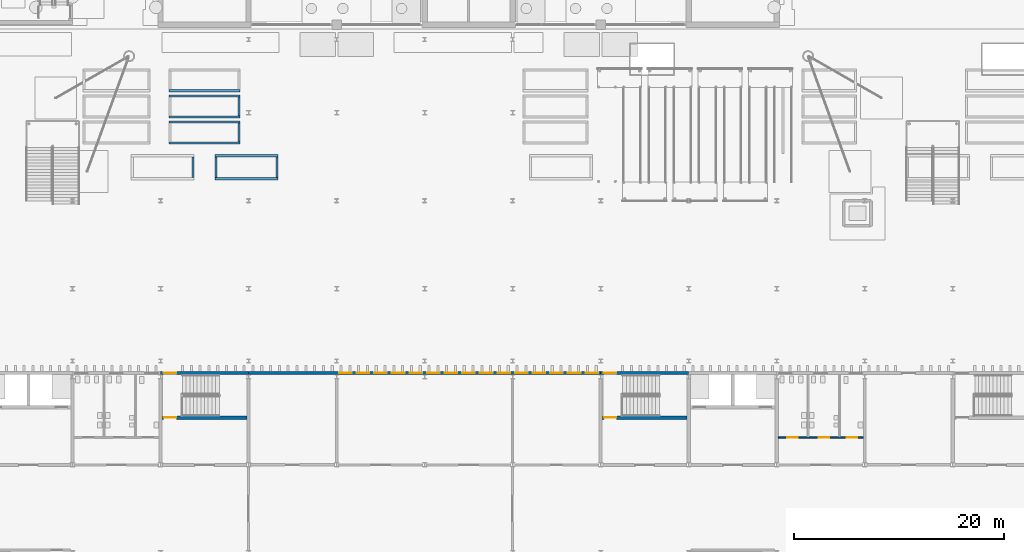
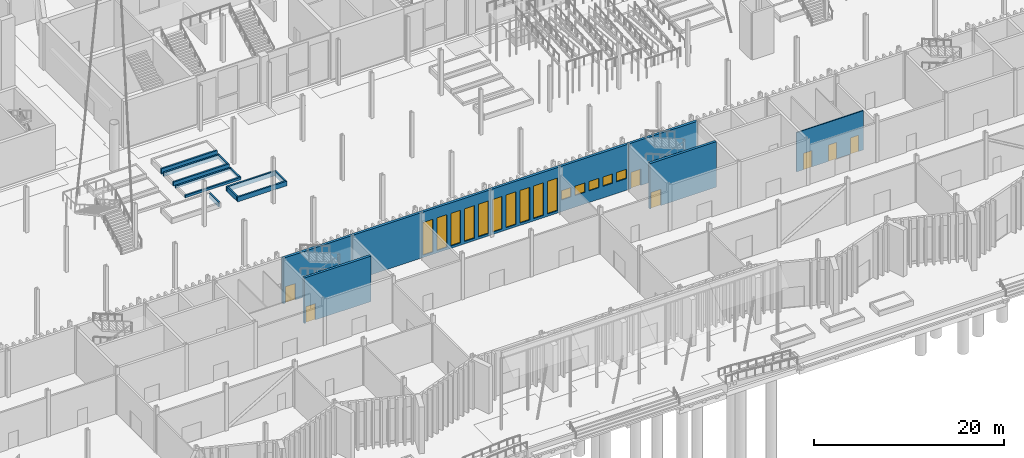
# One storey, part 59 of 108: 18 walls, 15 windows, 7 doors, 22 openings.
"""IFC4 building model written with IfcOpenShell, lengths in metres."""

from ifc_helpers import new_model, si_unit, direction, frame, frame_2d, origin, place, context, subcontext, project, spatial, rectangle, extrude, material, layer, layer_set, type_object, element, fill, save


model = new_model("IFC4")

# Units and contexts
model_context = context("Model", 3, precision=1e-05, world=origin(), true_north=direction((0.0, 1.0)))
body_context = subcontext(model_context, "Body", "Model", "MODEL_VIEW")
ifc_project = project(units=[si_unit("LENGTHUNIT", "METRE"), si_unit("AREAUNIT", "SQUARE_METRE"), si_unit("VOLUMEUNIT", "CUBIC_METRE"), si_unit("PLANEANGLEUNIT", "RADIAN"), si_unit("MASSUNIT", "GRAM", prefix="KILO")], contexts=[model_context])

# Site, building, storey
site_placement = place(None, origin())
site = spatial("IfcSite", under=ifc_project, at=site_placement, CompositionType="ELEMENT")
building_placement = place(site_placement, origin())
building = spatial("IfcBuilding", under=site, at=building_placement, Name="Cresset Court Congress Hotel", CompositionType="ELEMENT")
storey_placement = place(building_placement, origin())
storey = spatial("IfcBuildingStorey", under=building, at=storey_placement, Name="L00", CompositionType="ELEMENT", Elevation=0.0)

# Wall, opening, door
ifc_material_1 = material(Name="Concrete C50", Category="concrete")
ifc_layer_1 = layer(ifc_material_1, 0.300048828125)
ifc_layer_set_1 = layer_set([ifc_layer_1], Name="Core wall 300 Concrete C50")
wall_type_1 = type_object("IfcWallType", Name="Core wall 300 Concrete C50", PredefinedType="SHEAR", material=ifc_layer_set_1)
wall_1_placement = place(storey_placement, frame((58.949951171875, 21.300048828125, 0.0), z_axis=(0.0, 0.0, 1.0), x_axis=(1.0, 0.0, 0.0)))
wall_1 = element("IfcWall", 1, at=wall_1_placement, inside=storey, type_object=wall_type_1, Name="Core wall ST-B3", PredefinedType="SHEAR", context=body_context, shape_type="SweptSolid", body=[
    extrude(rectangle(XDim=8.10009765625, YDim=0.300048828125, at=frame_2d((4.050048828125, 0.0))), origin(), (0.0, 0.0, 1.0), 5.85009765625),
])
opening_1_placement = place(wall_1_placement, frame((0.14990234375, 0.0, 0.0)))
opening_1 = element("IfcOpeningElement", 2, at=opening_1_placement, cuts=wall_1, Name="Opening DB-00-59", PredefinedType="OPENING", context=body_context, shape_type="SweptSolid", body=[
    extrude(rectangle(XDim=1.199951171875, YDim=2.10009765625, at=frame_2d((0.60009765625, 1.050048828125))), frame((0.0, 0.159912109375, 0.0), z_axis=(0.0, -1.0, 0.0), x_axis=(1.0, 0.0, 0.0)), (0.0, 0.0, 1.0), 0.320068359375),
])
ifc_material_2 = material(Name="Timber and steel frame", Category="steel")
door_type_1 = type_object("IfcDoorType", Name="Stair fire door FD60 1200x2100", OperationType="SINGLE_SWING_LEFT", PredefinedType="DOOR", material=ifc_material_2)
door_1_placement = place(opening_1_placement, origin())
door_1 = element("IfcDoor", 3, at=door_1_placement, inside=storey, type_object=door_type_1, Name="Stair door ST-B3", OperationType="SINGLE_SWING_LEFT", OverallHeight=2.10009765625, OverallWidth=1.199951171875, PredefinedType="DOOR", context=body_context, shape_type="SweptSolid", body=[
    extrude(rectangle(XDim=1.199951171875, YDim=2.10009765625, at=frame_2d((0.60009765625, 1.050048828125))), frame((0.0, 0.02490234375, 0.0), z_axis=(0.0, -1.0, 0.0), x_axis=(1.0, 0.0, 0.0)), (0.0, 0.0, 1.0), 0.050048828125),
])
fill(opening_1, door_1)

wall_2_placement = place(storey_placement, frame((100.949951171875, 21.300048828125, 0.0), z_axis=(0.0, 0.0, 1.0), x_axis=(1.0, 0.0, 0.0)))
wall_2 = element("IfcWall", 4, at=wall_2_placement, inside=storey, type_object=wall_type_1, Name="Core wall ST-B4", PredefinedType="SHEAR", context=body_context, shape_type="SweptSolid", body=[
    extrude(rectangle(XDim=8.10009765625, YDim=0.300048828125, at=frame_2d((4.050048828125, 0.0))), origin(), (0.0, 0.0, 1.0), 5.85009765625),
])
opening_2_placement = place(wall_2_placement, frame((0.14990234375, 0.0, 0.0)))
opening_2 = element("IfcOpeningElement", 5, at=opening_2_placement, cuts=wall_2, Name="Opening DB-00-61", PredefinedType="OPENING", context=body_context, shape_type="SweptSolid", body=[
    extrude(rectangle(XDim=1.199951171875, YDim=2.10009765625, at=frame_2d((0.60009765625, 1.050048828125))), frame((0.0, 0.159912109375, 0.0), z_axis=(0.0, -1.0, 0.0), x_axis=(1.0, 0.0, 0.0)), (0.0, 0.0, 1.0), 0.320068359375),
])
door_2_placement = place(opening_2_placement, origin())
door_2 = element("IfcDoor", 6, at=door_2_placement, inside=storey, type_object=door_type_1, Name="Stair door ST-B4", OperationType="SINGLE_SWING_LEFT", OverallHeight=2.10009765625, OverallWidth=1.199951171875, PredefinedType="DOOR", context=body_context, shape_type="SweptSolid", body=[
    extrude(rectangle(XDim=1.199951171875, YDim=2.10009765625, at=frame_2d((0.60009765625, 1.050048828125))), frame((0.0, 0.02490234375, 0.0), z_axis=(0.0, -1.0, 0.0), x_axis=(1.0, 0.0, 0.0)), (0.0, 0.0, 1.0), 0.050048828125),
])
fill(opening_2, door_2)

ifc_material_3 = material(Name="Concrete C50", Category="concrete")
ifc_layer_2 = layer(ifc_material_3, 0.300048828125)
ifc_layer_set_2 = layer_set([ifc_layer_2], Name="Core wall 300 Concrete C50 external")
wall_type_2 = type_object("IfcWallType", Name="Core wall 300 Concrete C50 external", PredefinedType="SHEAR", material=ifc_layer_set_2)
wall_3_placement = place(storey_placement, frame((58.800048828125, 25.550048828125, 0.0), z_axis=(0.0, 0.0, 1.0), x_axis=(1.0, 0.0, 0.0)))
wall_3 = element("IfcWall", 7, at=wall_3_placement, inside=storey, type_object=wall_type_2, Name="Core wall ST-B3", PredefinedType="SHEAR", context=body_context, shape_type="SweptSolid", body=[
    extrude(rectangle(XDim=8.39990234375, YDim=0.300048828125, at=frame_2d((4.199951171875, 0.0))), origin(), (0.0, 0.0, 1.0), 5.85009765625),
])
opening_3_placement = place(wall_3_placement, frame((0.300048828125, 0.0, 0.0)))
opening_3 = element("IfcOpeningElement", 8, at=opening_3_placement, cuts=wall_3, Name="Opening DB-00-13A", PredefinedType="OPENING", context=body_context, shape_type="SweptSolid", body=[
    extrude(rectangle(XDim=1.199951171875, YDim=2.10009765625, at=frame_2d((0.60009765625, 1.050048828125))), frame((0.0, 0.159912109375, 0.0), z_axis=(0.0, -1.0, 0.0), x_axis=(1.0, 0.0, 0.0)), (0.0, 0.0, 1.0), 0.320068359375),
])
ifc_material_4 = material(Name="Timber and steel frame", Category="steel")
door_type_2 = type_object("IfcDoorType", Name="Stair fire door FD60 1200x2100 external", OperationType="SINGLE_SWING_LEFT", PredefinedType="DOOR", material=ifc_material_4)
door_3_placement = place(opening_3_placement, origin())
door_3 = element("IfcDoor", 9, at=door_3_placement, inside=storey, type_object=door_type_2, Name="Final exit ST-B3", OperationType="SINGLE_SWING_LEFT", OverallHeight=2.10009765625, OverallWidth=1.199951171875, PredefinedType="DOOR", context=body_context, shape_type="SweptSolid", body=[
    extrude(rectangle(XDim=1.199951171875, YDim=2.10009765625, at=frame_2d((0.60009765625, 1.050048828125))), frame((0.0, 0.02490234375, 0.0), z_axis=(0.0, -1.0, 0.0), x_axis=(1.0, 0.0, 0.0)), (0.0, 0.0, 1.0), 0.050048828125),
])
fill(opening_3, door_3)

wall_4_placement = place(storey_placement, frame((100.800048828125, 25.550048828125, 0.0), z_axis=(0.0, 0.0, 1.0), x_axis=(1.0, 0.0, 0.0)))
wall_4 = element("IfcWall", 10, at=wall_4_placement, inside=storey, type_object=wall_type_2, Name="Core wall ST-B4", PredefinedType="SHEAR", context=body_context, shape_type="SweptSolid", body=[
    extrude(rectangle(XDim=8.39990234375, YDim=0.300048828125, at=frame_2d((4.199951171875, 0.0))), origin(), (0.0, 0.0, 1.0), 5.85009765625),
])
opening_4_placement = place(wall_4_placement, frame((0.300048828125, 0.0, 0.0)))
opening_4 = element("IfcOpeningElement", 11, at=opening_4_placement, cuts=wall_4, Name="Opening DB-00-14A", PredefinedType="OPENING", context=body_context, shape_type="SweptSolid", body=[
    extrude(rectangle(XDim=1.199951171875, YDim=2.10009765625, at=frame_2d((0.60009765625, 1.050048828125))), frame((0.0, 0.159912109375, 0.0), z_axis=(0.0, -1.0, 0.0), x_axis=(1.0, 0.0, 0.0)), (0.0, 0.0, 1.0), 0.320068359375),
])
door_4_placement = place(opening_4_placement, origin())
door_4 = element("IfcDoor", 12, at=door_4_placement, inside=storey, type_object=door_type_2, Name="Final exit ST-B4", OperationType="SINGLE_SWING_LEFT", OverallHeight=2.10009765625, OverallWidth=1.199951171875, PredefinedType="DOOR", context=body_context, shape_type="SweptSolid", body=[
    extrude(rectangle(XDim=1.199951171875, YDim=2.10009765625, at=frame_2d((0.60009765625, 1.050048828125))), frame((0.0, 0.02490234375, 0.0), z_axis=(0.0, -1.0, 0.0), x_axis=(1.0, 0.0, 0.0)), (0.0, 0.0, 1.0), 0.050048828125),
])
fill(opening_4, door_4)

# Wall, openings, windows
ifc_material_5 = material(Name="Concrete C40", Category="concrete")
ifc_layer_3 = layer(ifc_material_5, 0.300048828125)
ifc_layer_set_3 = layer_set([ifc_layer_3], Name="External wall 300 Concrete C40")
wall_type_3 = type_object("IfcWallType", Name="External wall 300 Concrete C40", PredefinedType="SOLIDWALL", material=ifc_layer_set_3)
wall_5_placement = place(storey_placement, frame((67.10009765625, 25.550048828125, 0.0), z_axis=(0.0, 0.0, 1.0), x_axis=(1.0, 0.0, 0.0)))
wall_5 = element("IfcWall", 13, at=wall_5_placement, inside=storey, type_object=wall_type_3, Name="External wall", PredefinedType="SOLIDWALL", context=body_context, shape_type="SweptSolid", body=[
    extrude(rectangle(XDim=33.7998046875, YDim=0.300048828125, at=frame_2d((16.89990234375, 0.0))), origin(), (0.0, 0.0, 1.0), 5.85009765625),
])
opening_5_placement = place(wall_5_placement, frame((8.739990234375, 0.0, 0.300048828125)))
opening_5 = element("IfcOpeningElement", 14, at=opening_5_placement, cuts=wall_5, Name="Opening NB-00-68", PredefinedType="OPENING", context=body_context, shape_type="SweptSolid", body=[
    extrude(rectangle(XDim=1.199951171875, YDim=4.199951171875, at=frame_2d((0.60009765625, 2.10009765625))), frame((0.0, 0.159912109375, 0.0), z_axis=(0.0, -1.0, 0.0), x_axis=(1.0, 0.0, 0.0)), (0.0, 0.0, 1.0), 0.320068359375),
])
opening_6_placement = place(wall_5_placement, frame((10.419921875, 0.0, 0.300048828125)))
opening_6 = element("IfcOpeningElement", 15, at=opening_6_placement, cuts=wall_5, Name="Opening NB-00-69", PredefinedType="OPENING", context=body_context, shape_type="SweptSolid", body=[
    extrude(rectangle(XDim=1.199951171875, YDim=4.199951171875, at=frame_2d((0.60009765625, 2.10009765625))), frame((0.0, 0.159912109375, 0.0), z_axis=(0.0, -1.0, 0.0), x_axis=(1.0, 0.0, 0.0)), (0.0, 0.0, 1.0), 0.320068359375),
])
opening_7_placement = place(wall_5_placement, frame((12.10009765625, 0.0, 0.300048828125)))
opening_7 = element("IfcOpeningElement", 16, at=opening_7_placement, cuts=wall_5, Name="Opening NB-00-70", PredefinedType="OPENING", context=body_context, shape_type="SweptSolid", body=[
    extrude(rectangle(XDim=1.199951171875, YDim=4.199951171875, at=frame_2d((0.60009765625, 2.10009765625))), frame((0.0, 0.159912109375, 0.0), z_axis=(0.0, -1.0, 0.0), x_axis=(1.0, 0.0, 0.0)), (0.0, 0.0, 1.0), 0.320068359375),
])
opening_8_placement = place(wall_5_placement, frame((13.780029296875, 0.0, 0.300048828125)))
opening_8 = element("IfcOpeningElement", 17, at=opening_8_placement, cuts=wall_5, Name="Opening NB-00-71", PredefinedType="OPENING", context=body_context, shape_type="SweptSolid", body=[
    extrude(rectangle(XDim=1.199951171875, YDim=4.199951171875, at=frame_2d((0.60009765625, 2.10009765625))), frame((0.0, 0.159912109375, 0.0), z_axis=(0.0, -1.0, 0.0), x_axis=(1.0, 0.0, 0.0)), (0.0, 0.0, 1.0), 0.320068359375),
])
opening_9_placement = place(wall_5_placement, frame((15.4599609375, 0.0, 0.300048828125)))
opening_9 = element("IfcOpeningElement", 18, at=opening_9_placement, cuts=wall_5, Name="Opening NB-00-72", PredefinedType="OPENING", context=body_context, shape_type="SweptSolid", body=[
    extrude(rectangle(XDim=1.199951171875, YDim=4.199951171875, at=frame_2d((0.60009765625, 2.10009765625))), frame((0.0, 0.159912109375, 0.0), z_axis=(0.0, -1.0, 0.0), x_axis=(1.0, 0.0, 0.0)), (0.0, 0.0, 1.0), 0.320068359375),
])
opening_10_placement = place(wall_5_placement, frame((17.139892578125, 0.0, 0.300048828125)))
opening_10 = element("IfcOpeningElement", 19, at=opening_10_placement, cuts=wall_5, Name="Opening NB-00-73", PredefinedType="OPENING", context=body_context, shape_type="SweptSolid", body=[
    extrude(rectangle(XDim=1.199951171875, YDim=4.199951171875, at=frame_2d((0.60009765625, 2.10009765625))), frame((0.0, 0.159912109375, 0.0), z_axis=(0.0, -1.0, 0.0), x_axis=(1.0, 0.0, 0.0)), (0.0, 0.0, 1.0), 0.320068359375),
])
opening_11_placement = place(wall_5_placement, frame((18.820068359375, 0.0, 0.300048828125)))
opening_11 = element("IfcOpeningElement", 20, at=opening_11_placement, cuts=wall_5, Name="Opening NB-00-74", PredefinedType="OPENING", context=body_context, shape_type="SweptSolid", body=[
    extrude(rectangle(XDim=1.199951171875, YDim=4.199951171875, at=frame_2d((0.60009765625, 2.10009765625))), frame((0.0, 0.159912109375, 0.0), z_axis=(0.0, -1.0, 0.0), x_axis=(1.0, 0.0, 0.0)), (0.0, 0.0, 1.0), 0.320068359375),
])
opening_12_placement = place(wall_5_placement, frame((20.5, 0.0, 0.300048828125)))
opening_12 = element("IfcOpeningElement", 21, at=opening_12_placement, cuts=wall_5, Name="Opening NB-00-75", PredefinedType="OPENING", context=body_context, shape_type="SweptSolid", body=[
    extrude(rectangle(XDim=1.199951171875, YDim=4.199951171875, at=frame_2d((0.60009765625, 2.10009765625))), frame((0.0, 0.159912109375, 0.0), z_axis=(0.0, -1.0, 0.0), x_axis=(1.0, 0.0, 0.0)), (0.0, 0.0, 1.0), 0.320068359375),
])
opening_13_placement = place(wall_5_placement, frame((22.179931640625, 0.0, 0.300048828125)))
opening_13 = element("IfcOpeningElement", 22, at=opening_13_placement, cuts=wall_5, Name="Opening NB-00-76", PredefinedType="OPENING", context=body_context, shape_type="SweptSolid", body=[
    extrude(rectangle(XDim=1.199951171875, YDim=4.199951171875, at=frame_2d((0.60009765625, 2.10009765625))), frame((0.0, 0.159912109375, 0.0), z_axis=(0.0, -1.0, 0.0), x_axis=(1.0, 0.0, 0.0)), (0.0, 0.0, 1.0), 0.320068359375),
])
opening_14_placement = place(wall_5_placement, frame((23.860107421875, 0.0, 0.300048828125)))
opening_14 = element("IfcOpeningElement", 23, at=opening_14_placement, cuts=wall_5, Name="Opening NB-00-77", PredefinedType="OPENING", context=body_context, shape_type="SweptSolid", body=[
    extrude(rectangle(XDim=1.199951171875, YDim=4.199951171875, at=frame_2d((0.60009765625, 2.10009765625))), frame((0.0, 0.159912109375, 0.0), z_axis=(0.0, -1.0, 0.0), x_axis=(1.0, 0.0, 0.0)), (0.0, 0.0, 1.0), 0.320068359375),
])
opening_15_placement = place(wall_5_placement, frame((25.5400390625, 0.0, 1.5)))
opening_15 = element("IfcOpeningElement", 24, at=opening_15_placement, cuts=wall_5, Name="Opening NB-00-78", PredefinedType="OPENING", context=body_context, shape_type="SweptSolid", body=[
    extrude(rectangle(XDim=1.199951171875, YDim=1.199951171875, at=frame_2d((0.60009765625, 0.60009765625))), frame((0.0, 0.159912109375, 0.0), z_axis=(0.0, -1.0, 0.0), x_axis=(1.0, 0.0, 0.0)), (0.0, 0.0, 1.0), 0.320068359375),
])
opening_16_placement = place(wall_5_placement, frame((27.219970703125, 0.0, 1.5)))
opening_16 = element("IfcOpeningElement", 25, at=opening_16_placement, cuts=wall_5, Name="Opening NB-00-79", PredefinedType="OPENING", context=body_context, shape_type="SweptSolid", body=[
    extrude(rectangle(XDim=1.199951171875, YDim=1.199951171875, at=frame_2d((0.60009765625, 0.60009765625))), frame((0.0, 0.159912109375, 0.0), z_axis=(0.0, -1.0, 0.0), x_axis=(1.0, 0.0, 0.0)), (0.0, 0.0, 1.0), 0.320068359375),
])
opening_17_placement = place(wall_5_placement, frame((28.89990234375, 0.0, 1.5)))
opening_17 = element("IfcOpeningElement", 26, at=opening_17_placement, cuts=wall_5, Name="Opening NB-00-80", PredefinedType="OPENING", context=body_context, shape_type="SweptSolid", body=[
    extrude(rectangle(XDim=1.199951171875, YDim=1.199951171875, at=frame_2d((0.60009765625, 0.60009765625))), frame((0.0, 0.159912109375, 0.0), z_axis=(0.0, -1.0, 0.0), x_axis=(1.0, 0.0, 0.0)), (0.0, 0.0, 1.0), 0.320068359375),
])
opening_18_placement = place(wall_5_placement, frame((30.580078125, 0.0, 1.5)))
opening_18 = element("IfcOpeningElement", 27, at=opening_18_placement, cuts=wall_5, Name="Opening NB-00-81", PredefinedType="OPENING", context=body_context, shape_type="SweptSolid", body=[
    extrude(rectangle(XDim=1.199951171875, YDim=1.199951171875, at=frame_2d((0.60009765625, 0.60009765625))), frame((0.0, 0.159912109375, 0.0), z_axis=(0.0, -1.0, 0.0), x_axis=(1.0, 0.0, 0.0)), (0.0, 0.0, 1.0), 0.320068359375),
])
opening_19_placement = place(wall_5_placement, frame((32.260009765625, 0.0, 1.5)))
opening_19 = element("IfcOpeningElement", 28, at=opening_19_placement, cuts=wall_5, Name="Opening NB-00-82", PredefinedType="OPENING", context=body_context, shape_type="SweptSolid", body=[
    extrude(rectangle(XDim=1.199951171875, YDim=1.199951171875, at=frame_2d((0.60009765625, 0.60009765625))), frame((0.0, 0.159912109375, 0.0), z_axis=(0.0, -1.0, 0.0), x_axis=(1.0, 0.0, 0.0)), (0.0, 0.0, 1.0), 0.320068359375),
])
ifc_material_6 = material(Name="Aluminium frame with double glazing", Category="aluminium")
window_type_1 = type_object("IfcWindowType", Name="Window 1200x1200", PartitioningType="SINGLE_PANEL", PredefinedType="WINDOW", material=ifc_material_6)
window_1_placement = place(opening_15_placement, origin())
window_1 = element("IfcWindow", 29, at=window_1_placement, inside=storey, type_object=window_type_1, Name="Window NB-00-78", OverallHeight=1.199951171875, OverallWidth=1.199951171875, PartitioningType="SINGLE_PANEL", PredefinedType="WINDOW", context=body_context, shape_type="SweptSolid", body=[
    extrude(rectangle(XDim=1.199951171875, YDim=1.199951171875, at=frame_2d((0.60009765625, 0.60009765625))), frame((0.0, 0.030029296875, 0.0), z_axis=(0.0, -1.0, 0.0), x_axis=(1.0, 0.0, 0.0)), (0.0, 0.0, 1.0), 0.06005859375),
])
fill(opening_15, window_1)
window_2_placement = place(opening_16_placement, origin())
window_2 = element("IfcWindow", 30, at=window_2_placement, inside=storey, type_object=window_type_1, Name="Window NB-00-79", OverallHeight=1.199951171875, OverallWidth=1.199951171875, PartitioningType="SINGLE_PANEL", PredefinedType="WINDOW", context=body_context, shape_type="SweptSolid", body=[
    extrude(rectangle(XDim=1.199951171875, YDim=1.199951171875, at=frame_2d((0.60009765625, 0.60009765625))), frame((0.0, 0.030029296875, 0.0), z_axis=(0.0, -1.0, 0.0), x_axis=(1.0, 0.0, 0.0)), (0.0, 0.0, 1.0), 0.06005859375),
])
fill(opening_16, window_2)
window_3_placement = place(opening_17_placement, origin())
window_3 = element("IfcWindow", 31, at=window_3_placement, inside=storey, type_object=window_type_1, Name="Window NB-00-80", OverallHeight=1.199951171875, OverallWidth=1.199951171875, PartitioningType="SINGLE_PANEL", PredefinedType="WINDOW", context=body_context, shape_type="SweptSolid", body=[
    extrude(rectangle(XDim=1.199951171875, YDim=1.199951171875, at=frame_2d((0.60009765625, 0.60009765625))), frame((0.0, 0.030029296875, 0.0), z_axis=(0.0, -1.0, 0.0), x_axis=(1.0, 0.0, 0.0)), (0.0, 0.0, 1.0), 0.06005859375),
])
fill(opening_17, window_3)
window_4_placement = place(opening_18_placement, origin())
window_4 = element("IfcWindow", 32, at=window_4_placement, inside=storey, type_object=window_type_1, Name="Window NB-00-81", OverallHeight=1.199951171875, OverallWidth=1.199951171875, PartitioningType="SINGLE_PANEL", PredefinedType="WINDOW", context=body_context, shape_type="SweptSolid", body=[
    extrude(rectangle(XDim=1.199951171875, YDim=1.199951171875, at=frame_2d((0.60009765625, 0.60009765625))), frame((0.0, 0.030029296875, 0.0), z_axis=(0.0, -1.0, 0.0), x_axis=(1.0, 0.0, 0.0)), (0.0, 0.0, 1.0), 0.06005859375),
])
fill(opening_18, window_4)
window_5_placement = place(opening_19_placement, origin())
window_5 = element("IfcWindow", 33, at=window_5_placement, inside=storey, type_object=window_type_1, Name="Window NB-00-82", OverallHeight=1.199951171875, OverallWidth=1.199951171875, PartitioningType="SINGLE_PANEL", PredefinedType="WINDOW", context=body_context, shape_type="SweptSolid", body=[
    extrude(rectangle(XDim=1.199951171875, YDim=1.199951171875, at=frame_2d((0.60009765625, 0.60009765625))), frame((0.0, 0.030029296875, 0.0), z_axis=(0.0, -1.0, 0.0), x_axis=(1.0, 0.0, 0.0)), (0.0, 0.0, 1.0), 0.06005859375),
])
fill(opening_19, window_5)
ifc_material_7 = material(Name="Aluminium frame with double glazing", Category="aluminium")
window_type_2 = type_object("IfcWindowType", Name="Window 1200x4200", PartitioningType="TRIPLE_PANEL_VERTICAL", PredefinedType="WINDOW", material=ifc_material_7)
window_6_placement = place(opening_5_placement, origin())
window_6 = element("IfcWindow", 34, at=window_6_placement, inside=storey, type_object=window_type_2, Name="Window NB-00-68", OverallHeight=4.199951171875, OverallWidth=1.199951171875, PartitioningType="TRIPLE_PANEL_VERTICAL", PredefinedType="WINDOW", context=body_context, shape_type="SweptSolid", body=[
    extrude(rectangle(XDim=1.199951171875, YDim=4.199951171875, at=frame_2d((0.60009765625, 2.10009765625))), frame((0.0, 0.030029296875, 0.0), z_axis=(0.0, -1.0, 0.0), x_axis=(1.0, 0.0, 0.0)), (0.0, 0.0, 1.0), 0.06005859375),
])
fill(opening_5, window_6)
window_7_placement = place(opening_6_placement, origin())
window_7 = element("IfcWindow", 35, at=window_7_placement, inside=storey, type_object=window_type_2, Name="Window NB-00-69", OverallHeight=4.199951171875, OverallWidth=1.199951171875, PartitioningType="TRIPLE_PANEL_VERTICAL", PredefinedType="WINDOW", context=body_context, shape_type="SweptSolid", body=[
    extrude(rectangle(XDim=1.199951171875, YDim=4.199951171875, at=frame_2d((0.60009765625, 2.10009765625))), frame((0.0, 0.030029296875, 0.0), z_axis=(0.0, -1.0, 0.0), x_axis=(1.0, 0.0, 0.0)), (0.0, 0.0, 1.0), 0.06005859375),
])
fill(opening_6, window_7)
window_8_placement = place(opening_7_placement, origin())
window_8 = element("IfcWindow", 36, at=window_8_placement, inside=storey, type_object=window_type_2, Name="Window NB-00-70", OverallHeight=4.199951171875, OverallWidth=1.199951171875, PartitioningType="TRIPLE_PANEL_VERTICAL", PredefinedType="WINDOW", context=body_context, shape_type="SweptSolid", body=[
    extrude(rectangle(XDim=1.199951171875, YDim=4.199951171875, at=frame_2d((0.60009765625, 2.10009765625))), frame((0.0, 0.030029296875, 0.0), z_axis=(0.0, -1.0, 0.0), x_axis=(1.0, 0.0, 0.0)), (0.0, 0.0, 1.0), 0.06005859375),
])
fill(opening_7, window_8)
window_9_placement = place(opening_8_placement, origin())
window_9 = element("IfcWindow", 37, at=window_9_placement, inside=storey, type_object=window_type_2, Name="Window NB-00-71", OverallHeight=4.199951171875, OverallWidth=1.199951171875, PartitioningType="TRIPLE_PANEL_VERTICAL", PredefinedType="WINDOW", context=body_context, shape_type="SweptSolid", body=[
    extrude(rectangle(XDim=1.199951171875, YDim=4.199951171875, at=frame_2d((0.60009765625, 2.10009765625))), frame((0.0, 0.030029296875, 0.0), z_axis=(0.0, -1.0, 0.0), x_axis=(1.0, 0.0, 0.0)), (0.0, 0.0, 1.0), 0.06005859375),
])
fill(opening_8, window_9)
window_10_placement = place(opening_9_placement, origin())
window_10 = element("IfcWindow", 38, at=window_10_placement, inside=storey, type_object=window_type_2, Name="Window NB-00-72", OverallHeight=4.199951171875, OverallWidth=1.199951171875, PartitioningType="TRIPLE_PANEL_VERTICAL", PredefinedType="WINDOW", context=body_context, shape_type="SweptSolid", body=[
    extrude(rectangle(XDim=1.199951171875, YDim=4.199951171875, at=frame_2d((0.60009765625, 2.10009765625))), frame((0.0, 0.030029296875, 0.0), z_axis=(0.0, -1.0, 0.0), x_axis=(1.0, 0.0, 0.0)), (0.0, 0.0, 1.0), 0.06005859375),
])
fill(opening_9, window_10)
window_11_placement = place(opening_10_placement, origin())
window_11 = element("IfcWindow", 39, at=window_11_placement, inside=storey, type_object=window_type_2, Name="Window NB-00-73", OverallHeight=4.199951171875, OverallWidth=1.199951171875, PartitioningType="TRIPLE_PANEL_VERTICAL", PredefinedType="WINDOW", context=body_context, shape_type="SweptSolid", body=[
    extrude(rectangle(XDim=1.199951171875, YDim=4.199951171875, at=frame_2d((0.60009765625, 2.10009765625))), frame((0.0, 0.030029296875, 0.0), z_axis=(0.0, -1.0, 0.0), x_axis=(1.0, 0.0, 0.0)), (0.0, 0.0, 1.0), 0.06005859375),
])
fill(opening_10, window_11)
window_12_placement = place(opening_11_placement, origin())
window_12 = element("IfcWindow", 40, at=window_12_placement, inside=storey, type_object=window_type_2, Name="Window NB-00-74", OverallHeight=4.199951171875, OverallWidth=1.199951171875, PartitioningType="TRIPLE_PANEL_VERTICAL", PredefinedType="WINDOW", context=body_context, shape_type="SweptSolid", body=[
    extrude(rectangle(XDim=1.199951171875, YDim=4.199951171875, at=frame_2d((0.60009765625, 2.10009765625))), frame((0.0, 0.030029296875, 0.0), z_axis=(0.0, -1.0, 0.0), x_axis=(1.0, 0.0, 0.0)), (0.0, 0.0, 1.0), 0.06005859375),
])
fill(opening_11, window_12)
window_13_placement = place(opening_12_placement, origin())
window_13 = element("IfcWindow", 41, at=window_13_placement, inside=storey, type_object=window_type_2, Name="Window NB-00-75", OverallHeight=4.199951171875, OverallWidth=1.199951171875, PartitioningType="TRIPLE_PANEL_VERTICAL", PredefinedType="WINDOW", context=body_context, shape_type="SweptSolid", body=[
    extrude(rectangle(XDim=1.199951171875, YDim=4.199951171875, at=frame_2d((0.60009765625, 2.10009765625))), frame((0.0, 0.030029296875, 0.0), z_axis=(0.0, -1.0, 0.0), x_axis=(1.0, 0.0, 0.0)), (0.0, 0.0, 1.0), 0.06005859375),
])
fill(opening_12, window_13)
window_14_placement = place(opening_13_placement, origin())
window_14 = element("IfcWindow", 42, at=window_14_placement, inside=storey, type_object=window_type_2, Name="Window NB-00-76", OverallHeight=4.199951171875, OverallWidth=1.199951171875, PartitioningType="TRIPLE_PANEL_VERTICAL", PredefinedType="WINDOW", context=body_context, shape_type="SweptSolid", body=[
    extrude(rectangle(XDim=1.199951171875, YDim=4.199951171875, at=frame_2d((0.60009765625, 2.10009765625))), frame((0.0, 0.030029296875, 0.0), z_axis=(0.0, -1.0, 0.0), x_axis=(1.0, 0.0, 0.0)), (0.0, 0.0, 1.0), 0.06005859375),
])
fill(opening_13, window_14)
window_15_placement = place(opening_14_placement, origin())
window_15 = element("IfcWindow", 43, at=window_15_placement, inside=storey, type_object=window_type_2, Name="Window NB-00-77", OverallHeight=4.199951171875, OverallWidth=1.199951171875, PartitioningType="TRIPLE_PANEL_VERTICAL", PredefinedType="WINDOW", context=body_context, shape_type="SweptSolid", body=[
    extrude(rectangle(XDim=1.199951171875, YDim=4.199951171875, at=frame_2d((0.60009765625, 2.10009765625))), frame((0.0, 0.030029296875, 0.0), z_axis=(0.0, -1.0, 0.0), x_axis=(1.0, 0.0, 0.0)), (0.0, 0.0, 1.0), 0.06005859375),
])
fill(opening_14, window_15)

# Walls
ifc_material_8 = material(Name="Concrete C35", Category="concrete")
ifc_layer_4 = layer(ifc_material_8, 0.199951171875)
ifc_layer_set_4 = layer_set([ifc_layer_4], Name="Planter wall 200")
wall_type_4 = type_object("IfcWallType", Name="Planter wall 200", PredefinedType="SOLIDWALL", material=ifc_layer_set_4)
for number, where, z_axis, x_axis, name in (
    (44, (59.60009765625, 47.5, 0.0), (0.0, 0.0, 1.0), (1.0, 0.0, 0.0), "Terrace planter wall 04"),
    (45, (59.60009765625, 49.5, 0.0), (0.0, 0.0, 1.0), (1.0, 0.0, 0.0), "Terrace planter wall 04"),
):
    element("IfcWall", number, at=place(storey_placement, frame(where, z_axis=z_axis, x_axis=x_axis)), inside=storey, type_object=wall_type_4, Name=name, PredefinedType="SOLIDWALL", context=body_context, shape_type="SweptSolid", body=[
        extrude(rectangle(XDim=6.7998046875, YDim=0.199951171875, at=frame_2d((3.39990234375, 0.0))), origin(), (0.0, 0.0, 1.0), 0.300048828125),
    ])
wall_6_placement = place(storey_placement, frame((66.300048828125, 47.60009765625, 0.0), z_axis=(0.0, 0.0, 1.0), x_axis=(0.0, 1.0, 0.0)))
element("IfcWall", 46, at=wall_6_placement, inside=storey, type_object=wall_type_4, Name="Terrace planter wall 04", PredefinedType="SOLIDWALL", context=body_context, shape_type="SweptSolid", body=[
    extrude(rectangle(XDim=1.7998046875, YDim=0.199951171875, at=frame_2d((0.89990234375, 0.0))), origin(), (0.0, 0.0, 1.0), 0.300048828125),
])
for number, where, z_axis, x_axis, name in (
    (47, (59.60009765625, 50.0, 0.0), (0.0, 0.0, 1.0), (1.0, 0.0, 0.0), "Terrace planter wall 05"),
    (48, (59.60009765625, 52.0, 0.0), (0.0, 0.0, 1.0), (1.0, 0.0, 0.0), "Terrace planter wall 05"),
):
    element("IfcWall", number, at=place(storey_placement, frame(where, z_axis=z_axis, x_axis=x_axis)), inside=storey, type_object=wall_type_4, Name=name, PredefinedType="SOLIDWALL", context=body_context, shape_type="SweptSolid", body=[
        extrude(rectangle(XDim=6.7998046875, YDim=0.199951171875, at=frame_2d((3.39990234375, 0.0))), origin(), (0.0, 0.0, 1.0), 0.5),
    ])
wall_7_placement = place(storey_placement, frame((66.300048828125, 50.10009765625, 0.0), z_axis=(0.0, 0.0, 1.0), x_axis=(0.0, 1.0, 0.0)))
element("IfcWall", 49, at=wall_7_placement, inside=storey, type_object=wall_type_4, Name="Terrace planter wall 05", PredefinedType="SOLIDWALL", context=body_context, shape_type="SweptSolid", body=[
    extrude(rectangle(XDim=1.7998046875, YDim=0.199951171875, at=frame_2d((0.89990234375, 0.0))), origin(), (0.0, 0.0, 1.0), 0.5),
])
wall_8_placement = place(storey_placement, frame((59.60009765625, 52.5, 0.0), z_axis=(0.0, 0.0, 1.0), x_axis=(1.0, 0.0, 0.0)))
element("IfcWall", 50, at=wall_8_placement, inside=storey, type_object=wall_type_4, Name="Terrace planter wall 06", PredefinedType="SOLIDWALL", context=body_context, shape_type="SweptSolid", body=[
    extrude(rectangle(XDim=6.7998046875, YDim=0.199951171875, at=frame_2d((3.39990234375, 0.0))), origin(), (0.0, 0.0, 1.0), 0.699951171875),
])
wall_9_placement = place(storey_placement, frame((61.89990234375, 44.199951171875, 0.0), z_axis=(0.0, 0.0, 1.0), x_axis=(0.0, 1.0, 0.0)))
element("IfcWall", 51, at=wall_9_placement, inside=storey, type_object=wall_type_4, Name="S.planter.L00.13.E", PredefinedType="SOLIDWALL", context=body_context, shape_type="SweptSolid", body=[
    extrude(rectangle(XDim=2.0, YDim=0.199951171875, at=frame_2d((1.0, 0.0))), origin(), (0.0, 0.0, 1.0), 0.60009765625),
])
for number, where, z_axis, x_axis, name in (
    (52, (64.0, 44.10009765625, 0.0), (0.0, 0.0, 1.0), (1.0, 0.0, 0.0), "S.planter.L00.14.S"),
    (53, (64.0, 46.300048828125, 0.0), (0.0, 0.0, 1.0), (1.0, 0.0, 0.0), "S.planter.L00.14.N"),
):
    element("IfcWall", number, at=place(storey_placement, frame(where, z_axis=z_axis, x_axis=x_axis)), inside=storey, type_object=wall_type_4, Name=name, PredefinedType="SOLIDWALL", context=body_context, shape_type="SweptSolid", body=[
        extrude(rectangle(XDim=6.0, YDim=0.199951171875, at=frame_2d((3.0, 0.0))), origin(), (0.0, 0.0, 1.0), 0.60009765625),
    ])
for number, where, z_axis, x_axis, name in (
    (54, (64.10009765625, 44.199951171875, 0.0), (0.0, 0.0, 1.0), (0.0, 1.0, 0.0), "S.planter.L00.14.W"),
    (55, (69.89990234375, 44.199951171875, 0.0), (0.0, 0.0, 1.0), (0.0, 1.0, 0.0), "S.planter.L00.14.E"),
):
    element("IfcWall", number, at=place(storey_placement, frame(where, z_axis=z_axis, x_axis=x_axis)), inside=storey, type_object=wall_type_4, Name=name, PredefinedType="SOLIDWALL", context=body_context, shape_type="SweptSolid", body=[
        extrude(rectangle(XDim=2.0, YDim=0.199951171875, at=frame_2d((1.0, 0.0))), origin(), (0.0, 0.0, 1.0), 0.60009765625),
    ])

# Wall, openings, doors
ifc_material_9 = material(Name="Moisture-resistant board on steel studs", Category="steel")
ifc_layer_5 = layer(ifc_material_9, 0.125)
ifc_layer_set_5 = layer_set([ifc_layer_5], Name="Wet area partition 125")
wall_type_5 = type_object("IfcWallType", Name="Wet area partition 125", PredefinedType="PARTITIONING", material=ifc_layer_set_5)
wall_10_placement = place(storey_placement, frame((117.75, 19.39990234375, 0.0), z_axis=(0.0, 0.0, 1.0), x_axis=(1.0, 0.0, 0.0)))
wall_10 = element("IfcWall", 56, at=wall_10_placement, inside=storey, type_object=wall_type_5, Name="Wet area partition", PredefinedType="PARTITIONING", context=body_context, shape_type="SweptSolid", body=[
    extrude(rectangle(XDim=8.125, YDim=0.125, at=frame_2d((4.0625, 0.0))), origin(), (0.0, 0.0, 1.0), 5.050048828125),
])
opening_20_placement = place(wall_10_placement, frame((0.85009765625, 0.0, 0.0)))
opening_20 = element("IfcOpeningElement", 57, at=opening_20_placement, cuts=wall_10, Name="Opening DB-00-40", PredefinedType="OPENING", context=body_context, shape_type="SweptSolid", body=[
    extrude(rectangle(XDim=1.0, YDim=2.10009765625, at=frame_2d((0.5, 1.050048828125))), frame((0.0, 0.072509765625, 0.0), z_axis=(0.0, -1.0, 0.0), x_axis=(1.0, 0.0, 0.0)), (0.0, 0.0, 1.0), 0.14501953125),
])
opening_21_placement = place(wall_10_placement, frame((3.85009765625, 0.0, 0.0)))
opening_21 = element("IfcOpeningElement", 58, at=opening_21_placement, cuts=wall_10, Name="Opening DB-00-41", PredefinedType="OPENING", context=body_context, shape_type="SweptSolid", body=[
    extrude(rectangle(XDim=1.0, YDim=2.10009765625, at=frame_2d((0.5, 1.050048828125))), frame((0.0, 0.072509765625, 0.0), z_axis=(0.0, -1.0, 0.0), x_axis=(1.0, 0.0, 0.0)), (0.0, 0.0, 1.0), 0.14501953125),
])
opening_22_placement = place(wall_10_placement, frame((6.550048828125, 0.0, 0.0)))
opening_22 = element("IfcOpeningElement", 59, at=opening_22_placement, cuts=wall_10, Name="Opening DB-00-42", PredefinedType="OPENING", context=body_context, shape_type="SweptSolid", body=[
    extrude(rectangle(XDim=1.0, YDim=2.10009765625, at=frame_2d((0.5, 1.050048828125))), frame((0.0, 0.072509765625, 0.0), z_axis=(0.0, -1.0, 0.0), x_axis=(1.0, 0.0, 0.0)), (0.0, 0.0, 1.0), 0.14501953125),
])
ifc_material_10 = material(Name="Timber and steel frame", Category="steel")
door_type_3 = type_object("IfcDoorType", Name="Single door 1000x2100", OperationType="SINGLE_SWING_LEFT", PredefinedType="DOOR", material=ifc_material_10)
door_5_placement = place(opening_22_placement, origin())
door_5 = element("IfcDoor", 60, at=door_5_placement, inside=storey, type_object=door_type_3, Name="Accessible WC door", OperationType="SINGLE_SWING_LEFT", OverallHeight=2.10009765625, OverallWidth=1.0, PredefinedType="DOOR", context=body_context, shape_type="SweptSolid", body=[
    extrude(rectangle(XDim=1.0, YDim=2.10009765625, at=frame_2d((0.5, 1.050048828125))), frame((0.0, 0.02490234375, 0.0), z_axis=(0.0, -1.0, 0.0), x_axis=(1.0, 0.0, 0.0)), (0.0, 0.0, 1.0), 0.050048828125),
])
fill(opening_22, door_5)
ifc_material_11 = material(Name="Timber and steel frame", Category="steel")
door_type_4 = type_object("IfcDoorType", Name="Toilet door 1000x2100", OperationType="SINGLE_SWING_LEFT", PredefinedType="DOOR", material=ifc_material_11)
door_6_placement = place(opening_20_placement, origin())
door_6 = element("IfcDoor", 61, at=door_6_placement, inside=storey, type_object=door_type_4, Name="Women's WC door", OperationType="SINGLE_SWING_LEFT", OverallHeight=2.10009765625, OverallWidth=1.0, PredefinedType="DOOR", context=body_context, shape_type="SweptSolid", body=[
    extrude(rectangle(XDim=1.0, YDim=2.10009765625, at=frame_2d((0.5, 1.050048828125))), frame((0.0, 0.02490234375, 0.0), z_axis=(0.0, -1.0, 0.0), x_axis=(1.0, 0.0, 0.0)), (0.0, 0.0, 1.0), 0.050048828125),
])
fill(opening_20, door_6)
door_7_placement = place(opening_21_placement, origin())
door_7 = element("IfcDoor", 62, at=door_7_placement, inside=storey, type_object=door_type_4, Name="Men's WC door", OperationType="SINGLE_SWING_LEFT", OverallHeight=2.10009765625, OverallWidth=1.0, PredefinedType="DOOR", context=body_context, shape_type="SweptSolid", body=[
    extrude(rectangle(XDim=1.0, YDim=2.10009765625, at=frame_2d((0.5, 1.050048828125))), frame((0.0, 0.02490234375, 0.0), z_axis=(0.0, -1.0, 0.0), x_axis=(1.0, 0.0, 0.0)), (0.0, 0.0, 1.0), 0.050048828125),
])
fill(opening_21, door_7)

save(model, "model.ifc")
